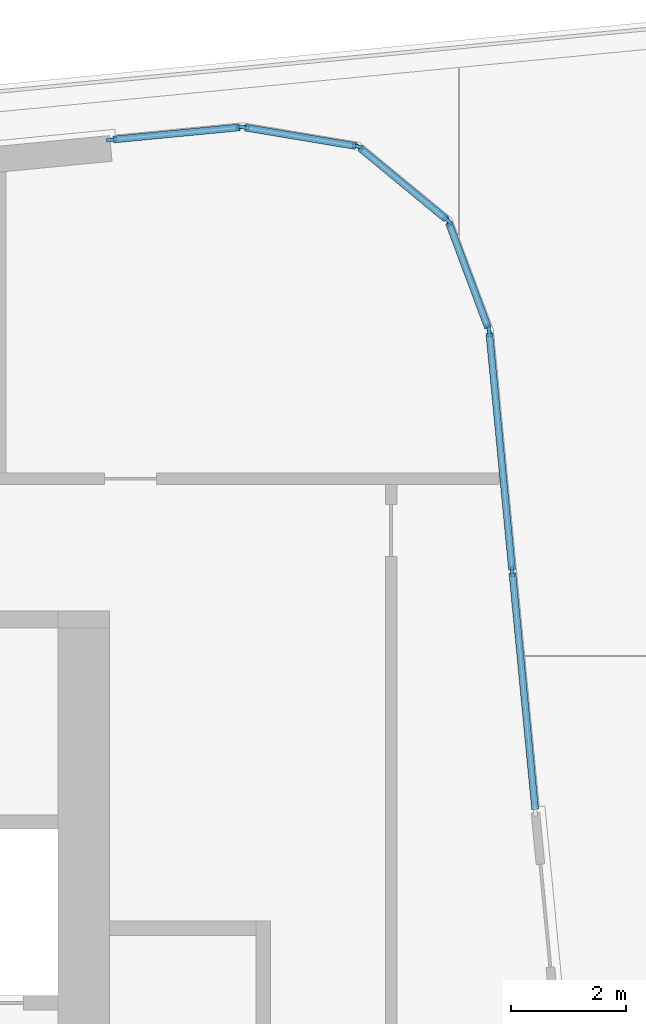
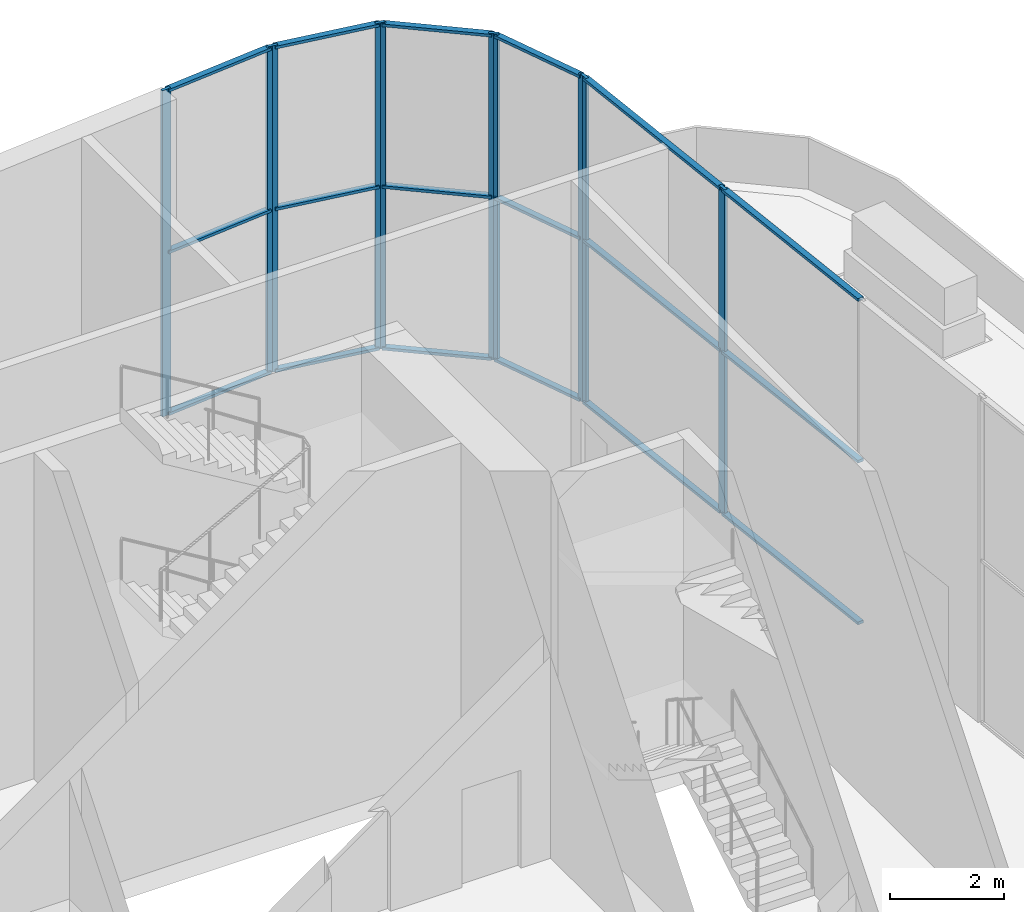
# One storey, part 8 of 25: 28 members, 5 elements without a shape of their own.
"""IFC4 building model written with IfcOpenShell, lengths in metres."""

from ifc_helpers import new_model, si_unit, direction, frame, origin, origin_2d, place, context, subcontext, project, spatial, rectangle, extrude, material, material_profile, profile_set, type_object, element, aggregate, save


model = new_model("IFC4")

# Units and contexts
model_context = context("Model", 3, precision=1e-05, world=origin(), true_north=direction((0.0, 1.0)))
body_context = subcontext(model_context, "Body", "Model", "MODEL_VIEW")
ifc_project = project(units=[si_unit("LENGTHUNIT", "METRE"), si_unit("AREAUNIT", "SQUARE_METRE"), si_unit("VOLUMEUNIT", "CUBIC_METRE"), si_unit("PLANEANGLEUNIT", "RADIAN"), si_unit("MASSUNIT", "GRAM", prefix="KILO")], contexts=[model_context])

# Site, building, storey
site_placement = place(None, origin())
site = spatial("IfcSite", under=ifc_project, at=site_placement, CompositionType="ELEMENT")
building_placement = place(site_placement, origin())
building = spatial("IfcBuilding", under=site, at=building_placement, Name="Kajstack Hotel Tower", CompositionType="ELEMENT")
storey_placement = place(building_placement, frame((0.0, 0.0, 155.0)))
storey = spatial("IfcBuildingStorey", under=building, at=storey_placement, Name="L36", CompositionType="ELEMENT", Elevation=155.0)

# Curtain wall, members
ifc_material_1 = material(Name="Aluminium-framed curtain wall, insulated glass with fritted edge", Category="aluminium")
curtain_wall_type = type_object("IfcCurtainWallType", Name="CW-SPA", PredefinedType="NOTDEFINED", material=ifc_material_1)
curtain_wall_1_placement = place(storey_placement, origin())
curtain_wall_1 = element("IfcCurtainWall", 1, at=curtain_wall_1_placement, inside=storey, type_object=curtain_wall_type, Name="Curtain wall CU7 L36-08-04-0", PredefinedType="NOTDEFINED")
ifc_material_2 = material(Name="Aluminium", Category="aluminium")
ifc_material_profile_1 = material_profile(ifc_material_2, rectangle(XDim=0.06005859375, YDim=0.179931640625, at=origin_2d()), Name="Aluminium mullion 60 x 180")
ifc_profile_set_1 = profile_set([ifc_material_profile_1], Name="Aluminium")
member_type_1 = type_object("IfcMemberType", Name="CW-M-SPA", PredefinedType="MULLION", material=ifc_profile_set_1)
member_1_placement = place(storey_placement, frame((38.509765625, 16.188232421875, 0.0), z_axis=(0.0, 0.0, 1.0), x_axis=(-0.995396331916, -0.095844365551, 0.0)))
member_1 = element("IfcMember", 2, at=member_1_placement, type_object=member_type_1, Name="CU7 mullion 2", PredefinedType="MULLION", context=body_context, shape_type="SweptSolid", body=[
    extrude(rectangle(XDim=0.06005859375, YDim=0.179931640625, at=origin_2d()), origin(), (0.0, 0.0, 1.0), 7.0),
])
member_2_placement = place(storey_placement, frame((38.10791015625, 20.3623046875, 0.0), z_axis=(0.0, 0.0, 1.0), x_axis=(-0.995396331916, -0.095844365551, 0.0)))
member_2 = element("IfcMember", 3, at=member_2_placement, type_object=member_type_1, Name="CU7 mullion 3", PredefinedType="MULLION", context=body_context, shape_type="SweptSolid", body=[
    extrude(rectangle(XDim=0.06005859375, YDim=0.179931640625, at=origin_2d()), origin(), (0.0, 0.0, 1.0), 7.0),
])

curtain_wall_2_placement = place(storey_placement, origin())
curtain_wall_2 = element("IfcCurtainWall", 4, at=curtain_wall_2_placement, inside=storey, type_object=curtain_wall_type, Name="Curtain wall CU7 L36-09-00-0", PredefinedType="NOTDEFINED")
member_3_placement = place(storey_placement, frame((38.098876953125, 20.401123046875, 0.0), z_axis=(0.0, 0.0, 1.0), x_axis=(-0.936664162844, -0.350228848104, 0.0)))
member_3 = element("IfcMember", 5, at=member_3_placement, type_object=member_type_1, Name="CU7 mullion 1", PredefinedType="MULLION", context=body_context, shape_type="SweptSolid", body=[
    extrude(rectangle(XDim=0.06005859375, YDim=0.179931640625, at=origin_2d()), origin(), (0.0, 0.0, 1.0), 7.0),
])
member_4_placement = place(storey_placement, frame((37.394775390625, 22.284423828125, 0.0), z_axis=(0.0, 0.0, 1.0), x_axis=(-0.936664162844, -0.350228848104, 0.0)))
member_4 = element("IfcMember", 6, at=member_4_placement, type_object=member_type_1, Name="CU7 mullion 2", PredefinedType="MULLION", context=body_context, shape_type="SweptSolid", body=[
    extrude(rectangle(XDim=0.06005859375, YDim=0.179931640625, at=origin_2d()), origin(), (0.0, 0.0, 1.0), 7.0),
])

curtain_wall_3_placement = place(storey_placement, origin())
curtain_wall_3 = element("IfcCurtainWall", 7, at=curtain_wall_3_placement, inside=storey, type_object=curtain_wall_type, Name="Curtain wall CU7 L36-10-00-0", PredefinedType="NOTDEFINED")
member_5_placement = place(storey_placement, frame((37.383544921875, 22.300048828125, 0.0), z_axis=(0.0, 0.0, 1.0), x_axis=(-0.636089777678, -0.771615056057, 0.0)))
member_5 = element("IfcMember", 8, at=member_5_placement, type_object=member_type_1, Name="CU7 mullion 1", PredefinedType="MULLION", context=body_context, shape_type="SweptSolid", body=[
    extrude(rectangle(XDim=0.06005859375, YDim=0.179931640625, at=origin_2d()), origin(), (0.0, 0.0, 1.0), 7.0),
])
member_6_placement = place(storey_placement, frame((35.832275390625, 23.578857421875, 0.0), z_axis=(0.0, 0.0, 1.0), x_axis=(-0.636089777678, -0.771615056057, 0.0)))
member_6 = element("IfcMember", 9, at=member_6_placement, type_object=member_type_1, Name="CU7 mullion 2", PredefinedType="MULLION", context=body_context, shape_type="SweptSolid", body=[
    extrude(rectangle(XDim=0.06005859375, YDim=0.179931640625, at=origin_2d()), origin(), (0.0, 0.0, 1.0), 7.0),
])

curtain_wall_4_placement = place(storey_placement, origin())
curtain_wall_4 = element("IfcCurtainWall", 10, at=curtain_wall_4_placement, inside=storey, type_object=curtain_wall_type, Name="Curtain wall CU7 L36-11-00-0", PredefinedType="NOTDEFINED")
member_7_placement = place(storey_placement, frame((35.81494140625, 23.586669921875, 0.0), z_axis=(0.0, 0.0, 1.0), x_axis=(-0.165025489464, -0.986289302298, 0.0)))
member_7 = element("IfcMember", 11, at=member_7_placement, type_object=member_type_1, Name="CU7 mullion 1", PredefinedType="MULLION", context=body_context, shape_type="SweptSolid", body=[
    extrude(rectangle(XDim=0.06005859375, YDim=0.179931640625, at=origin_2d()), origin(), (0.0, 0.0, 1.0), 7.0),
])
member_8_placement = place(storey_placement, frame((33.831787109375, 23.91845703125, 0.0), z_axis=(0.0, 0.0, 1.0), x_axis=(-0.165025489464, -0.986289302298, 0.0)))
member_8 = element("IfcMember", 12, at=member_8_placement, type_object=member_type_1, Name="CU7 mullion 2", PredefinedType="MULLION", context=body_context, shape_type="SweptSolid", body=[
    extrude(rectangle(XDim=0.06005859375, YDim=0.179931640625, at=origin_2d()), origin(), (0.0, 0.0, 1.0), 7.0),
])

curtain_wall_5_placement = place(storey_placement, origin())
curtain_wall_5 = element("IfcCurtainWall", 13, at=curtain_wall_5_placement, inside=storey, type_object=curtain_wall_type, Name="Curtain wall CU7 L36-12-00-0", PredefinedType="NOTDEFINED")
member_9_placement = place(storey_placement, frame((33.7919921875, 23.919921875, 0.0), z_axis=(0.0, 0.0, 1.0), x_axis=(0.095845303742, -0.995396241579, 0.0)))
member_9 = element("IfcMember", 14, at=member_9_placement, type_object=member_type_1, Name="CU7 mullion 1", PredefinedType="MULLION", context=body_context, shape_type="SweptSolid", body=[
    extrude(rectangle(XDim=0.06005859375, YDim=0.179931640625, at=origin_2d()), origin(), (0.0, 0.0, 1.0), 7.0),
])
member_10_placement = place(storey_placement, frame((31.537109375, 23.702880859375, 0.0), z_axis=(0.0, 0.0, 1.0), x_axis=(0.095845303742, -0.995396241579, 0.0)))
member_10 = element("IfcMember", 15, at=member_10_placement, type_object=member_type_1, Name="CU7 mullion 2", PredefinedType="MULLION", context=body_context, shape_type="SweptSolid", body=[
    extrude(rectangle(XDim=0.06005859375, YDim=0.179931640625, at=origin_2d()), origin(), (0.0, 0.0, 1.0), 7.0),
])

# Member
ifc_material_profile_2 = material_profile(ifc_material_2, rectangle(XDim=0.1201171875, YDim=0.06005859375, at=origin_2d()), Name="Aluminium transom 120 x 60")
ifc_profile_set_2 = profile_set([ifc_material_profile_2], Name="Aluminium")
member_type_2 = type_object("IfcMemberType", Name="CW-T-SPA", PredefinedType="USERDEFINED", material=ifc_profile_set_2)
member_11_placement = place(storey_placement, frame((38.90869140625, 12.044189453125, 0.030029296875), z_axis=(-0.095806948314, 0.995399934024, 0.0), x_axis=(-0.995399934024, -0.095806948314, 0.0)))
member_11 = element("IfcMember", 16, at=member_11_placement, type_object=member_type_2, Name="CU7 transom 1.1", ObjectType="TRANSOM", PredefinedType="USERDEFINED", context=body_context, shape_type="SweptSolid", body=[
    extrude(rectangle(XDim=0.1201171875, YDim=0.06005859375, at=origin_2d()), origin(), (0.0, 0.0, 1.0), 4.13330078125),
])

member_12_placement = place(storey_placement, frame((38.90869140625, 12.044189453125, 3.5), z_axis=(-0.095806948314, 0.995399934024, 0.0), x_axis=(-0.995399934024, -0.095806948314, 0.0)))
member_12 = element("IfcMember", 17, at=member_12_placement, type_object=member_type_2, Name="CU7 transom 1.2", ObjectType="TRANSOM", PredefinedType="USERDEFINED", context=body_context, shape_type="SweptSolid", body=[
    extrude(rectangle(XDim=0.1201171875, YDim=0.06005859375, at=origin_2d()), origin(), (0.0, 0.0, 1.0), 4.13330078125),
])

member_13_placement = place(storey_placement, frame((38.90869140625, 12.044189453125, 6.969970703125), z_axis=(-0.095806948314, 0.995399934024, 0.0), x_axis=(-0.995399934024, -0.095806948314, 0.0)))
member_13 = element("IfcMember", 18, at=member_13_placement, type_object=member_type_2, Name="CU7 transom 1.3", ObjectType="TRANSOM", PredefinedType="USERDEFINED", context=body_context, shape_type="SweptSolid", body=[
    extrude(rectangle(XDim=0.1201171875, YDim=0.06005859375, at=origin_2d()), origin(), (0.0, 0.0, 1.0), 4.13330078125),
])

member_14_placement = place(storey_placement, frame((38.5068359375, 16.21826171875, 0.030029296875), z_axis=(-0.095871109531, 0.995393756439, 0.0), x_axis=(-0.995393756439, -0.095871109531, 0.0)))
member_14 = element("IfcMember", 19, at=member_14_placement, type_object=member_type_2, Name="CU7 transom 2.1", ObjectType="TRANSOM", PredefinedType="USERDEFINED", context=body_context, shape_type="SweptSolid", body=[
    extrude(rectangle(XDim=0.1201171875, YDim=0.06005859375, at=origin_2d()), origin(), (0.0, 0.0, 1.0), 4.133056640625),
])

member_15_placement = place(storey_placement, frame((38.5068359375, 16.21826171875, 3.5), z_axis=(-0.095871109531, 0.995393756439, 0.0), x_axis=(-0.995393756439, -0.095871109531, 0.0)))
member_15 = element("IfcMember", 20, at=member_15_placement, type_object=member_type_2, Name="CU7 transom 2.2", ObjectType="TRANSOM", PredefinedType="USERDEFINED", context=body_context, shape_type="SweptSolid", body=[
    extrude(rectangle(XDim=0.1201171875, YDim=0.06005859375, at=origin_2d()), origin(), (0.0, 0.0, 1.0), 4.133056640625),
])

member_16_placement = place(storey_placement, frame((38.5068359375, 16.21826171875, 6.969970703125), z_axis=(-0.095871109531, 0.995393756439, 0.0), x_axis=(-0.995393756439, -0.095871109531, 0.0)))
member_16 = element("IfcMember", 21, at=member_16_placement, type_object=member_type_2, Name="CU7 transom 2.3", ObjectType="TRANSOM", PredefinedType="USERDEFINED", context=body_context, shape_type="SweptSolid", body=[
    extrude(rectangle(XDim=0.1201171875, YDim=0.06005859375, at=origin_2d()), origin(), (0.0, 0.0, 1.0), 4.133056640625),
])

aggregate(curtain_wall_1, [member_1, member_2, member_11, member_12, member_13, member_14, member_15, member_16])

member_17_placement = place(storey_placement, frame((38.08837890625, 20.42919921875, 0.030029296875), z_axis=(-0.350190587105, 0.936678468154, 0.0), x_axis=(-0.936678468154, -0.350190587105, 0.0)))
member_17 = element("IfcMember", 22, at=member_17_placement, type_object=member_type_2, Name="CU7 transom 1.1", ObjectType="TRANSOM", PredefinedType="USERDEFINED", context=body_context, shape_type="SweptSolid", body=[
    extrude(rectangle(XDim=0.1201171875, YDim=0.06005859375, at=origin_2d()), origin(), (0.0, 0.0, 1.0), 1.95068359375),
])

member_18_placement = place(storey_placement, frame((38.08837890625, 20.42919921875, 3.5), z_axis=(-0.350190587105, 0.936678468154, 0.0), x_axis=(-0.936678468154, -0.350190587105, 0.0)))
member_18 = element("IfcMember", 23, at=member_18_placement, type_object=member_type_2, Name="CU7 transom 1.2", ObjectType="TRANSOM", PredefinedType="USERDEFINED", context=body_context, shape_type="SweptSolid", body=[
    extrude(rectangle(XDim=0.1201171875, YDim=0.06005859375, at=origin_2d()), origin(), (0.0, 0.0, 1.0), 1.95068359375),
])

member_19_placement = place(storey_placement, frame((38.08837890625, 20.42919921875, 6.969970703125), z_axis=(-0.350190587105, 0.936678468154, 0.0), x_axis=(-0.936678468154, -0.350190587105, 0.0)))
member_19 = element("IfcMember", 24, at=member_19_placement, type_object=member_type_2, Name="CU7 transom 1.3", ObjectType="TRANSOM", PredefinedType="USERDEFINED", context=body_context, shape_type="SweptSolid", body=[
    extrude(rectangle(XDim=0.1201171875, YDim=0.06005859375, at=origin_2d()), origin(), (0.0, 0.0, 1.0), 1.95068359375),
])

aggregate(curtain_wall_2, [member_3, member_4, member_17, member_18, member_19])

member_20_placement = place(storey_placement, frame((37.3603515625, 22.319091796875, 0.030029296875), z_axis=(-0.771576013797, 0.63613713532, 0.0), x_axis=(-0.63613713532, -0.771576013797, 0.0)))
member_20 = element("IfcMember", 25, at=member_20_placement, type_object=member_type_2, Name="CU7 transom 1.1", ObjectType="TRANSOM", PredefinedType="USERDEFINED", context=body_context, shape_type="SweptSolid", body=[
    extrude(rectangle(XDim=0.1201171875, YDim=0.06005859375, at=origin_2d()), origin(), (0.0, 0.0, 1.0), 1.950439453125),
])

member_21_placement = place(storey_placement, frame((37.3603515625, 22.319091796875, 3.5), z_axis=(-0.771576013797, 0.63613713532, 0.0), x_axis=(-0.63613713532, -0.771576013797, 0.0)))
member_21 = element("IfcMember", 26, at=member_21_placement, type_object=member_type_2, Name="CU7 transom 1.2", ObjectType="TRANSOM", PredefinedType="USERDEFINED", context=body_context, shape_type="SweptSolid", body=[
    extrude(rectangle(XDim=0.1201171875, YDim=0.06005859375, at=origin_2d()), origin(), (0.0, 0.0, 1.0), 1.950439453125),
])

member_22_placement = place(storey_placement, frame((37.3603515625, 22.319091796875, 6.969970703125), z_axis=(-0.771576013797, 0.63613713532, 0.0), x_axis=(-0.63613713532, -0.771576013797, 0.0)))
member_22 = element("IfcMember", 27, at=member_22_placement, type_object=member_type_2, Name="CU7 transom 1.3", ObjectType="TRANSOM", PredefinedType="USERDEFINED", context=body_context, shape_type="SweptSolid", body=[
    extrude(rectangle(XDim=0.1201171875, YDim=0.06005859375, at=origin_2d()), origin(), (0.0, 0.0, 1.0), 1.950439453125),
])

aggregate(curtain_wall_3, [member_5, member_6, member_20, member_21, member_22])

member_23_placement = place(storey_placement, frame((35.78515625, 23.591796875, 0.030029296875), z_axis=(-0.986299040765, 0.164967276108, 0.0), x_axis=(-0.164967276108, -0.986299040765, 0.0)))
member_23 = element("IfcMember", 28, at=member_23_placement, type_object=member_type_2, Name="CU7 transom 1.1", ObjectType="TRANSOM", PredefinedType="USERDEFINED", context=body_context, shape_type="SweptSolid", body=[
    extrude(rectangle(XDim=0.1201171875, YDim=0.06005859375, at=origin_2d()), origin(), (0.0, 0.0, 1.0), 1.950439453125),
])

member_24_placement = place(storey_placement, frame((35.78515625, 23.591796875, 3.5), z_axis=(-0.986299040765, 0.164967276108, 0.0), x_axis=(-0.164967276108, -0.986299040765, 0.0)))
member_24 = element("IfcMember", 29, at=member_24_placement, type_object=member_type_2, Name="CU7 transom 1.2", ObjectType="TRANSOM", PredefinedType="USERDEFINED", context=body_context, shape_type="SweptSolid", body=[
    extrude(rectangle(XDim=0.1201171875, YDim=0.06005859375, at=origin_2d()), origin(), (0.0, 0.0, 1.0), 1.950439453125),
])

member_25_placement = place(storey_placement, frame((35.78515625, 23.591796875, 6.969970703125), z_axis=(-0.986299040765, 0.164967276108, 0.0), x_axis=(-0.164967276108, -0.986299040765, 0.0)))
member_25 = element("IfcMember", 30, at=member_25_placement, type_object=member_type_2, Name="CU7 transom 1.3", ObjectType="TRANSOM", PredefinedType="USERDEFINED", context=body_context, shape_type="SweptSolid", body=[
    extrude(rectangle(XDim=0.1201171875, YDim=0.06005859375, at=origin_2d()), origin(), (0.0, 0.0, 1.0), 1.950439453125),
])

aggregate(curtain_wall_4, [member_7, member_8, member_23, member_24, member_25])

member_26_placement = place(storey_placement, frame((33.761962890625, 23.9169921875, 0.030029296875), z_axis=(-0.995403956654, -0.095765145424, 0.0), x_axis=(0.095765145424, -0.995403956654, 0.0)))
member_26 = element("IfcMember", 31, at=member_26_placement, type_object=member_type_2, Name="CU7 transom 1.1", ObjectType="TRANSOM", PredefinedType="USERDEFINED", context=body_context, shape_type="SweptSolid", body=[
    extrude(rectangle(XDim=0.1201171875, YDim=0.06005859375, at=origin_2d()), origin(), (0.0, 0.0, 1.0), 2.205322265625),
])

member_27_placement = place(storey_placement, frame((33.761962890625, 23.9169921875, 3.5), z_axis=(-0.995403956654, -0.095765145424, 0.0), x_axis=(0.095765145424, -0.995403956654, 0.0)))
member_27 = element("IfcMember", 32, at=member_27_placement, type_object=member_type_2, Name="CU7 transom 1.2", ObjectType="TRANSOM", PredefinedType="USERDEFINED", context=body_context, shape_type="SweptSolid", body=[
    extrude(rectangle(XDim=0.1201171875, YDim=0.06005859375, at=origin_2d()), origin(), (0.0, 0.0, 1.0), 2.205322265625),
])

member_28_placement = place(storey_placement, frame((33.761962890625, 23.9169921875, 6.969970703125), z_axis=(-0.995403956654, -0.095765145424, 0.0), x_axis=(0.095765145424, -0.995403956654, 0.0)))
member_28 = element("IfcMember", 33, at=member_28_placement, type_object=member_type_2, Name="CU7 transom 1.3", ObjectType="TRANSOM", PredefinedType="USERDEFINED", context=body_context, shape_type="SweptSolid", body=[
    extrude(rectangle(XDim=0.1201171875, YDim=0.06005859375, at=origin_2d()), origin(), (0.0, 0.0, 1.0), 2.205322265625),
])

aggregate(curtain_wall_5, [member_9, member_10, member_26, member_27, member_28])

save(model, "model.ifc")
